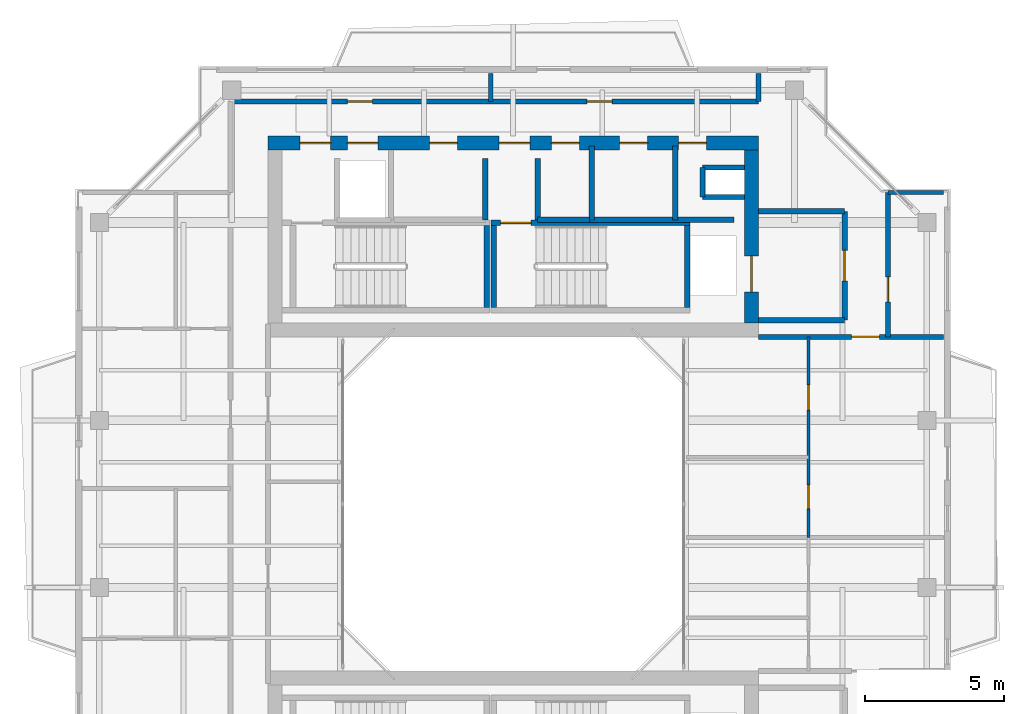
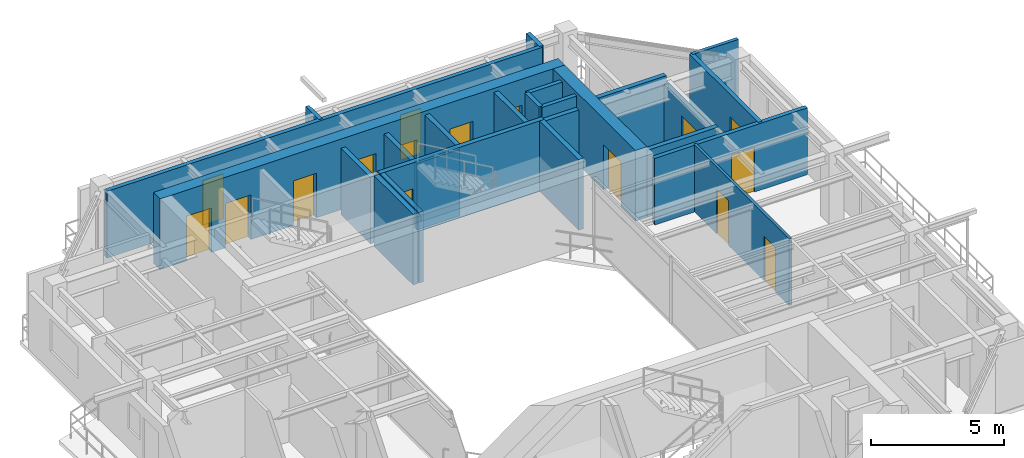
# One storey, part 11 of 14: 25 walls, 16 doors, 16 openings.
"""IFC4 building model written with IfcOpenShell, lengths in metres."""

from ifc_helpers import new_model, si_unit, direction, frame, frame_2d, origin, place, context, subcontext, project, spatial, rectangle, extrude, source, transform, mapped, material, layer, layer_set, type_object, element, fill, save


model = new_model("IFC4")

# Units and contexts
model_context = context("Model", 3, precision=1e-05, world=origin(), true_north=direction((0.0, 1.0)))
body_context = subcontext(model_context, "Body", "Model", "MODEL_VIEW")
ifc_project = project(units=[si_unit("LENGTHUNIT", "METRE"), si_unit("AREAUNIT", "SQUARE_METRE"), si_unit("VOLUMEUNIT", "CUBIC_METRE"), si_unit("PLANEANGLEUNIT", "RADIAN"), si_unit("MASSUNIT", "GRAM", prefix="KILO"), si_unit("THERMODYNAMICTEMPERATUREUNIT", "KELVIN"), si_unit("POWERUNIT", "WATT")], contexts=[model_context])

# Site, building, storey
site_placement = place(None, origin())
site = spatial("IfcSite", under=ifc_project, at=site_placement, CompositionType="ELEMENT")
building_placement = place(site_placement, origin())
building = spatial("IfcBuilding", under=site, at=building_placement, Name="Qiaomeng Ring Towers", CompositionType="ELEMENT")
storey_placement = place(building_placement, frame((0.0, 0.0, 247.0)))
storey = spatial("IfcBuildingStorey", under=building, at=storey_placement, Name="L72", CompositionType="ELEMENT", Elevation=247.0)

# Walls
ifc_material_1 = material(Name="Autoclaved aerated concrete block", Category="concrete")
ifc_layer_1 = layer(ifc_material_1, 0.199951171875, Name="Autoclaved aerated concrete block")
ifc_layer_set_1 = layer_set([ifc_layer_1], Name="Autoclaved aerated concrete block")
wall_type_1 = type_object("IfcWallType", Name="ARC-WL-PW1", PredefinedType="PARTITIONING", material=ifc_layer_set_1)
for number, where, z_axis, x_axis, name in (
    (1, (27.800048828125, 29.60009765625, 0.0), (0.0, 0.0, 1.0), (1.0, 0.0, 0.0), "L72 Interior Wall PW1"),
    (2, (27.800048828125, 33.5, 0.0), (0.0, 0.0, 1.0), (1.0, 0.0, 0.0), "L72 Interior Wall PW1"),
):
    element("IfcWall", number, at=place(storey_placement, frame(where, z_axis=z_axis, x_axis=x_axis)), inside=storey, type_object=wall_type_1, Name=name, PredefinedType="PARTITIONING", context=body_context, shape_type="SweptSolid", body=[
        extrude(rectangle(XDim=3.099853515625, YDim=0.199951171875, at=frame_2d((1.5498046875, 0.0))), origin(), (0.0, 0.0, 1.0), 3.070068359375),
    ])

# Wall, opening, door
wall_1_placement = place(storey_placement, frame((30.89990234375, 29.60009765625, 0.0), z_axis=(0.0, 0.0, 1.0), x_axis=(0.0, 1.0, 0.0)))
wall_1 = element("IfcWall", 3, at=wall_1_placement, inside=storey, type_object=wall_type_1, Name="L72 Interior Wall PW1", PredefinedType="PARTITIONING", context=body_context, shape_type="SweptSolid", body=[
    extrude(rectangle(XDim=3.89990234375, YDim=0.199951171875, at=frame_2d((1.949951171875, 0.0))), origin(), (0.0, 0.0, 1.0), 2.715087890625),
])
opening_1_placement = place(wall_1_placement, frame((1.39990234375, 0.0, 0.0)))
opening_1 = element("IfcOpeningElement", 4, at=opening_1_placement, cuts=wall_1, Name="Opening FD3", PredefinedType="OPENING", context=body_context, shape_type="SweptSolid", body=[
    extrude(rectangle(XDim=1.10009765625, YDim=2.050048828125, at=frame_2d((0.550048828125, 1.02490234375))), frame((0.0, 0.10986328125, 0.0), z_axis=(0.0, -1.0, 0.0), x_axis=(1.0, 0.0, 0.0)), (0.0, 0.0, 1.0), 0.219970703125),
])
ifc_material_2 = material(Name="Galvanised steel", Category="steel")
door_type_1 = type_object("IfcDoorType", Name="ARC-DR-FD3", OperationType="NOTDEFINED", PredefinedType="DOOR", material=ifc_material_2)
shared_shape_1 = source(origin(), body_context, "Body", "SweptSolid", [
    extrude(rectangle(XDim=1.10009765625, YDim=2.050048828125, at=frame_2d((0.550048828125, 1.02490234375))), frame((0.0, 0.02490234375, 0.0), z_axis=(0.0, -1.0, 0.0), x_axis=(1.0, 0.0, 0.0)), (0.0, 0.0, 1.0), 0.050048828125),
])
door_1_placement = place(opening_1_placement, origin())
door_1 = element("IfcDoor", 5, at=door_1_placement, inside=storey, type_object=door_type_1, Name="L72 North FF Lobby Door", OperationType="SINGLE_SWING_LEFT", OverallHeight=2.050048828125, OverallWidth=1.10009765625, PredefinedType="DOOR", context=body_context, shape_type="MappedRepresentation", body=[
    mapped(shared_shape_1, transform((0.0, 0.0, 0.0), x_axis=(1.0, 0.0, 0.0), y_axis=(0.0, 1.0, 0.0), z_axis=(0.0, 0.0, 1.0), scale=1.0)),
])
fill(opening_1, door_1)

# Walls
for number, where, z_axis, x_axis, name in (
    (6, (18.0, 33.18994140625, 0.0), (0.0, 0.0, 1.0), (0.0, 1.0, 0.0), "L72 Interior Wall PW1"),
    (7, (19.8798828125, 33.18994140625, 0.0), (0.0, 0.0, 1.0), (0.0, 1.0, 0.0), "L72 Interior Wall PW1"),
):
    element("IfcWall", number, at=place(storey_placement, frame(where, z_axis=z_axis, x_axis=x_axis)), inside=storey, type_object=wall_type_1, Name=name, PredefinedType="PARTITIONING", context=body_context, shape_type="SweptSolid", body=[
        extrude(rectangle(XDim=2.2099609375, YDim=0.199951171875, at=frame_2d((1.10498046875, 0.0))), origin(), (0.0, 0.0, 1.0), 3.070068359375),
    ])
wall_2_placement = place(storey_placement, frame((24.820068359375, 33.199951171875, 0.0), z_axis=(0.0, 0.0, 1.0), x_axis=(0.0, 1.0, 0.0)))
element("IfcWall", 8, at=wall_2_placement, inside=storey, type_object=wall_type_1, Name="L72 Interior Wall PW1", PredefinedType="PARTITIONING", context=body_context, shape_type="SweptSolid", body=[
    extrude(rectangle(XDim=2.650146484375, YDim=0.199951171875, at=frame_2d((1.3251953125, 0.0))), origin(), (0.0, 0.0, 1.0), 3.070068359375),
])
wall_3_placement = place(storey_placement, frame((19.8798828125, 33.199951171875, 0.0), z_axis=(0.0, 0.0, 1.0), x_axis=(1.0, 0.0, 0.0)))
element("IfcWall", 9, at=wall_3_placement, inside=storey, type_object=wall_type_1, Name="L72 Interior Wall PW1", PredefinedType="PARTITIONING", context=body_context, shape_type="SweptSolid", body=[
    extrude(rectangle(XDim=1.8701171875, YDim=0.199951171875, at=frame_2d((0.93505859375, 0.0))), origin(), (0.0, 0.0, 1.0), 3.070068359375),
])
wall_4_placement = place(storey_placement, frame((21.830078125, 33.199951171875, 0.0), z_axis=(0.0, 0.0, 1.0), x_axis=(0.0, 1.0, 0.0)))
element("IfcWall", 10, at=wall_4_placement, inside=storey, type_object=wall_type_1, Name="L72 Interior Wall PW1", PredefinedType="PARTITIONING", context=body_context, shape_type="SweptSolid", body=[
    extrude(rectangle(XDim=2.650146484375, YDim=0.199951171875, at=frame_2d((1.3251953125, 0.0))), origin(), (0.0, 0.0, 1.0), 3.070068359375),
])
wall_5_placement = place(storey_placement, frame((21.75, 33.199951171875, 0.0), z_axis=(0.0, 0.0, 1.0), x_axis=(1.0, 0.0, 0.0)))
element("IfcWall", 11, at=wall_5_placement, inside=storey, type_object=wall_type_1, Name="L72 Interior Wall PW1", PredefinedType="PARTITIONING", context=body_context, shape_type="SweptSolid", body=[
    extrude(rectangle(XDim=5.169921875, YDim=0.199951171875, at=frame_2d((2.5849609375, 0.0))), origin(), (0.0, 0.0, 1.0), 3.070068359375),
])
ifc_layer_2 = layer(ifc_material_1, 0.179931640625, Name="Autoclaved aerated concrete block")
ifc_layer_set_2 = layer_set([ifc_layer_2], Name="Autoclaved aerated concrete block")
wall_type_2 = type_object("IfcWallType", Name="ARC-WL-PW2", PredefinedType="PARTITIONING", material=ifc_layer_set_2)
wall_6_placement = place(storey_placement, frame((27.800048828125, 37.43994140625, 0.0), z_axis=(0.0, 0.0, 1.0), x_axis=(0.0, 1.0, 0.0)))
element("IfcWall", 12, at=wall_6_placement, inside=storey, type_object=wall_type_2, Name="L72 Interior Wall PW2", PredefinedType="PARTITIONING", context=body_context, shape_type="SweptSolid", body=[
    extrude(rectangle(XDim=1.010009765625, YDim=0.179931640625, at=frame_2d((0.5048828125, 0.0))), origin(), (0.0, 0.0, 1.0), 3.070068359375),
])

# Wall, openings, doors
wall_7_placement = place(storey_placement, frame((8.85009765625, 37.43994140625, 0.0), z_axis=(0.0, 0.0, 1.0), x_axis=(1.0, 0.0, 0.0)))
wall_7 = element("IfcWall", 13, at=wall_7_placement, inside=storey, type_object=wall_type_2, Name="L72 Interior Wall PW2", PredefinedType="PARTITIONING", context=body_context, shape_type="SweptSolid", body=[
    extrude(rectangle(XDim=18.949951171875, YDim=0.179931640625, at=frame_2d((9.47509765625, 0.0))), origin(), (0.0, 0.0, 1.0), 3.070068359375),
])
opening_2_placement = place(wall_7_placement, frame((4.199951171875, 0.0, 0.0)))
opening_2 = element("IfcOpeningElement", 14, at=opening_2_placement, cuts=wall_7, Name="Opening ID1", PredefinedType="OPENING", context=body_context, shape_type="SweptSolid", body=[
    extrude(rectangle(XDim=0.89990234375, YDim=2.050048828125, at=frame_2d((0.449951171875, 1.02490234375))), frame((0.0, 0.099853515625, 0.0), z_axis=(0.0, -1.0, 0.0), x_axis=(1.0, 0.0, 0.0)), (0.0, 0.0, 1.0), 0.199951171875),
])
opening_3_placement = place(wall_7_placement, frame((12.800048828125, 0.0, 0.0)))
opening_3 = element("IfcOpeningElement", 15, at=opening_3_placement, cuts=wall_7, Name="Opening ID1", PredefinedType="OPENING", context=body_context, shape_type="SweptSolid", body=[
    extrude(rectangle(XDim=0.89990234375, YDim=2.050048828125, at=frame_2d((0.449951171875, 1.02490234375))), frame((0.0, 0.099853515625, 0.0), z_axis=(0.0, -1.0, 0.0), x_axis=(1.0, 0.0, 0.0)), (0.0, 0.0, 1.0), 0.199951171875),
])
ifc_material_3 = material(Name="Engineered oak timber", Category="wood")
door_type_2 = type_object("IfcDoorType", Name="ARC-DR-ID1", OperationType="NOTDEFINED", PredefinedType="DOOR", material=ifc_material_3)
shared_shape_2 = source(origin(), body_context, "Body", "SweptSolid", [
    extrude(rectangle(XDim=0.89990234375, YDim=2.050048828125, at=frame_2d((0.449951171875, 1.02490234375))), frame((0.0, 0.02490234375, 0.0), z_axis=(0.0, -1.0, 0.0), x_axis=(1.0, 0.0, 0.0)), (0.0, 0.0, 1.0), 0.050048828125),
])
door_2_placement = place(opening_2_placement, origin())
door_2 = element("IfcDoor", 16, at=door_2_placement, inside=storey, type_object=door_type_2, Name="L72 Door ID1", OperationType="SINGLE_SWING_RIGHT", OverallHeight=2.050048828125, OverallWidth=0.89990234375, PredefinedType="DOOR", context=body_context, shape_type="MappedRepresentation", body=[
    mapped(shared_shape_2, transform((0.0, 0.0, 0.0), x_axis=(1.0, 0.0, 0.0), y_axis=(0.0, 1.0, 0.0), z_axis=(0.0, 0.0, 1.0), scale=1.0)),
])
fill(opening_2, door_2)
door_3_placement = place(opening_3_placement, origin())
door_3 = element("IfcDoor", 17, at=door_3_placement, inside=storey, type_object=door_type_2, Name="L72 Door ID1", OperationType="SINGLE_SWING_LEFT", OverallHeight=2.050048828125, OverallWidth=0.89990234375, PredefinedType="DOOR", context=body_context, shape_type="MappedRepresentation", body=[
    mapped(shared_shape_2, transform((0.0, 0.0, 0.0), x_axis=(1.0, 0.0, 0.0), y_axis=(0.0, 1.0, 0.0), z_axis=(0.0, 0.0, 1.0), scale=1.0)),
])
fill(opening_3, door_3)

# Wall, opening, door
wall_8_placement = place(storey_placement, frame((27.800048828125, 29.0, 0.0), z_axis=(0.0, 0.0, 1.0), x_axis=(1.0, 0.0, 0.0)))
wall_8 = element("IfcWall", 18, at=wall_8_placement, inside=storey, type_object=wall_type_2, Name="L72 Interior Wall PW2", PredefinedType="PARTITIONING", context=body_context, shape_type="SweptSolid", body=[
    extrude(rectangle(XDim=6.64990234375, YDim=0.179931640625, at=frame_2d((3.324951171875, 0.0))), origin(), (0.0, 0.0, 1.0), 3.070068359375),
])
opening_4_placement = place(wall_8_placement, frame((3.35009765625, 0.0, 0.0)))
opening_4 = element("IfcOpeningElement", 19, at=opening_4_placement, cuts=wall_8, Name="Opening FD4", PredefinedType="OPENING", context=body_context, shape_type="SweptSolid", body=[
    extrude(rectangle(XDim=1.0, YDim=2.050048828125, at=frame_2d((0.5, 1.02490234375))), frame((0.0, 0.099853515625, 0.0), z_axis=(0.0, -1.0, 0.0), x_axis=(1.0, 0.0, 0.0)), (0.0, 0.0, 1.0), 0.199951171875),
])
ifc_material_4 = material(Name="Engineered fire-rated oak timber", Category="wood")
door_type_3 = type_object("IfcDoorType", Name="ARC-DR-FD4", OperationType="NOTDEFINED", PredefinedType="DOOR", material=ifc_material_4)
shared_shape_3 = source(origin(), body_context, "Body", "SweptSolid", [
    extrude(rectangle(XDim=1.0, YDim=2.050048828125, at=frame_2d((0.5, 1.02490234375))), frame((0.0, 0.02490234375, 0.0), z_axis=(0.0, -1.0, 0.0), x_axis=(1.0, 0.0, 0.0)), (0.0, 0.0, 1.0), 0.050048828125),
])
door_4_placement = place(opening_4_placement, origin())
door_4 = element("IfcDoor", 20, at=door_4_placement, inside=storey, type_object=door_type_3, Name="L72 Door FD4", OperationType="SINGLE_SWING_LEFT", OverallHeight=2.050048828125, OverallWidth=1.0, PredefinedType="DOOR", context=body_context, shape_type="MappedRepresentation", body=[
    mapped(shared_shape_3, transform((0.0, 0.0, 0.0), x_axis=(1.0, 0.0, 0.0), y_axis=(0.0, 1.0, 0.0), z_axis=(0.0, 0.0, 1.0), scale=1.0)),
])
fill(opening_4, door_4)

wall_9_placement = place(storey_placement, frame((32.449951171875, 29.0, 0.0), z_axis=(0.0, 0.0, 1.0), x_axis=(0.0, 1.0, 0.0)))
wall_9 = element("IfcWall", 21, at=wall_9_placement, inside=storey, type_object=wall_type_2, Name="L72 Interior Wall PW2", PredefinedType="PARTITIONING", context=body_context, shape_type="SweptSolid", body=[
    extrude(rectangle(XDim=5.179931640625, YDim=0.179931640625, at=frame_2d((2.58984375, 0.0))), origin(), (0.0, 0.0, 1.0), 3.070068359375),
])
opening_5_placement = place(wall_9_placement, frame((1.25, 0.0, 0.0)))
opening_5 = element("IfcOpeningElement", 22, at=opening_5_placement, cuts=wall_9, Name="Opening ID1", PredefinedType="OPENING", context=body_context, shape_type="SweptSolid", body=[
    extrude(rectangle(XDim=0.89990234375, YDim=2.050048828125, at=frame_2d((0.449951171875, 1.02490234375))), frame((0.0, 0.099853515625, 0.0), z_axis=(0.0, -1.0, 0.0), x_axis=(1.0, 0.0, 0.0)), (0.0, 0.0, 1.0), 0.199951171875),
])
door_5_placement = place(opening_5_placement, origin())
door_5 = element("IfcDoor", 23, at=door_5_placement, inside=storey, type_object=door_type_2, Name="L72 Door ID1", OperationType="SINGLE_SWING_RIGHT", OverallHeight=2.050048828125, OverallWidth=0.89990234375, PredefinedType="DOOR", context=body_context, shape_type="MappedRepresentation", body=[
    mapped(shared_shape_2, transform((0.0, 0.0, 0.0), x_axis=(1.0, 0.0, 0.0), y_axis=(0.0, 1.0, 0.0), z_axis=(0.0, 0.0, 1.0), scale=1.0)),
])
fill(opening_5, door_5)

# Walls
ifc_material_5 = material(Name="Gypsum fireboard steel-stud partition", Category="steel")
ifc_layer_3 = layer(ifc_material_5, 0.14990234375, Name="Gypsum fireboard steel-stud partition")
ifc_layer_set_3 = layer_set([ifc_layer_3], Name="Gypsum fireboard steel-stud partition")
wall_type_3 = type_object("IfcWallType", Name="ARC-WL-PW3", PredefinedType="PARTITIONING", material=ifc_layer_set_3)
wall_10_placement = place(storey_placement, frame((18.199951171875, 37.43994140625, 0.0), z_axis=(0.0, 0.0, 1.0), x_axis=(0.0, 1.0, 0.0)))
element("IfcWall", 24, at=wall_10_placement, inside=storey, type_object=wall_type_3, Name="L72 Interior Wall PW3", PredefinedType="PARTITIONING", context=body_context, shape_type="SweptSolid", body=[
    extrude(rectangle(XDim=1.010009765625, YDim=0.14990234375, at=frame_2d((0.5048828125, 0.0))), origin(), (0.0, 0.0, 1.0), 3.070068359375),
])
wall_11_placement = place(storey_placement, frame((32.449951171875, 34.179931640625, 0.0), z_axis=(0.0, 0.0, 1.0), x_axis=(1.0, 0.0, 0.0)))
element("IfcWall", 25, at=wall_11_placement, inside=storey, type_object=wall_type_3, Name="L72 Interior Wall PW3", PredefinedType="PARTITIONING", context=body_context, shape_type="SweptSolid", body=[
    extrude(rectangle(XDim=2.0, YDim=0.14990234375, at=frame_2d((1.0, 0.0))), origin(), (0.0, 0.0, 1.0), 3.070068359375),
])

# Wall, openings, doors
ifc_material_6 = material(Name="Moisture-resistant gypsum steel-stud partition", Category="steel")
ifc_layer_4 = layer(ifc_material_6, 0.1201171875, Name="Moisture-resistant gypsum steel-stud partition")
ifc_layer_set_4 = layer_set([ifc_layer_4], Name="Moisture-resistant gypsum steel-stud partition")
wall_type_4 = type_object("IfcWallType", Name="ARC-WL-PW4", PredefinedType="PLUMBINGWALL", material=ifc_layer_set_4)
wall_12_placement = place(storey_placement, frame((29.60009765625, 21.800048828125, 0.0), z_axis=(0.0, 0.0, 1.0), x_axis=(0.0, 1.0, 0.0)))
wall_12 = element("IfcWall", 26, at=wall_12_placement, inside=storey, type_object=wall_type_4, Name="L72 Interior Wall PW4", PredefinedType="PLUMBINGWALL", context=body_context, shape_type="SweptSolid", body=[
    extrude(rectangle(XDim=7.199951171875, YDim=0.1201171875, at=frame_2d((3.60009765625, 0.0))), origin(), (0.0, 0.0, 1.0), 3.070068359375),
])
opening_6_placement = place(wall_12_placement, frame((1.034912109375, 0.0, 0.0)))
opening_6 = element("IfcOpeningElement", 27, at=opening_6_placement, cuts=wall_12, Name="Opening ID2", PredefinedType="OPENING", context=body_context, shape_type="SweptSolid", body=[
    extrude(rectangle(XDim=0.85009765625, YDim=2.050048828125, at=frame_2d((0.425048828125, 1.02490234375))), frame((0.0, 0.070068359375, 0.0), z_axis=(0.0, -1.0, 0.0), x_axis=(1.0, 0.0, 0.0)), (0.0, 0.0, 1.0), 0.14013671875),
])
opening_7_placement = place(wall_12_placement, frame((4.570068359375, 0.0, 0.0)))
opening_7 = element("IfcOpeningElement", 28, at=opening_7_placement, cuts=wall_12, Name="Opening ID1", PredefinedType="OPENING", context=body_context, shape_type="SweptSolid", body=[
    extrude(rectangle(XDim=0.89990234375, YDim=2.050048828125, at=frame_2d((0.449951171875, 1.02490234375))), frame((0.0, 0.070068359375, 0.0), z_axis=(0.0, -1.0, 0.0), x_axis=(1.0, 0.0, 0.0)), (0.0, 0.0, 1.0), 0.14013671875),
])
ifc_material_7 = material(Name="Moisture-resistant engineered timber", Category="wood")
door_type_4 = type_object("IfcDoorType", Name="ARC-DR-ID2", OperationType="NOTDEFINED", PredefinedType="DOOR", material=ifc_material_7)
shared_shape_4 = source(origin(), body_context, "Body", "SweptSolid", [
    extrude(rectangle(XDim=0.85009765625, YDim=2.050048828125, at=frame_2d((0.425048828125, 1.02490234375))), frame((0.0, 0.02490234375, 0.0), z_axis=(0.0, -1.0, 0.0), x_axis=(1.0, 0.0, 0.0)), (0.0, 0.0, 1.0), 0.050048828125),
])
door_6_placement = place(opening_6_placement, origin())
door_6 = element("IfcDoor", 29, at=door_6_placement, inside=storey, type_object=door_type_4, Name="L72 Door ID2", OperationType="SINGLE_SWING_RIGHT", OverallHeight=2.050048828125, OverallWidth=0.85009765625, PredefinedType="DOOR", context=body_context, shape_type="MappedRepresentation", body=[
    mapped(shared_shape_4, transform((0.0, 0.0, 0.0), x_axis=(1.0, 0.0, 0.0), y_axis=(0.0, 1.0, 0.0), z_axis=(0.0, 0.0, 1.0), scale=1.0)),
])
fill(opening_6, door_6)
door_7_placement = place(opening_7_placement, origin())
door_7 = element("IfcDoor", 30, at=door_7_placement, inside=storey, type_object=door_type_2, Name="L72 Door ID1", OperationType="SINGLE_SWING_LEFT", OverallHeight=2.050048828125, OverallWidth=0.89990234375, PredefinedType="DOOR", context=body_context, shape_type="MappedRepresentation", body=[
    mapped(shared_shape_2, transform((0.0, 0.0, 0.0), x_axis=(1.0, 0.0, 0.0), y_axis=(0.0, 1.0, 0.0), z_axis=(0.0, 0.0, 1.0), scale=1.0)),
])
fill(opening_7, door_7)

# Walls
ifc_material_8 = material(Name="Concrete C40", Category="concrete")
ifc_layer_5 = layer(ifc_material_8, 0.199951171875, Name="Concrete C40")
ifc_layer_set_5 = layer_set([ifc_layer_5], Name="Concrete C40")
wall_type_5 = type_object("IfcWallType", Name="STR-WL-STSHAFT", PredefinedType="SHEAR", material=ifc_layer_set_5)
wall_13_placement = place(storey_placement, frame((25.800048828125, 34.02001953125, 0.0), z_axis=(0.0, 0.0, 1.0), x_axis=(0.0, 1.0, 0.0)))
element("IfcWall", 31, at=wall_13_placement, inside=storey, type_object=wall_type_5, Name="L72 Riser RSR1 West Shaft Wall N", PredefinedType="SHEAR", context=body_context, shape_type="SweptSolid", body=[
    extrude(rectangle(XDim=1.06005859375, YDim=0.179931640625, at=frame_2d((0.530029296875, 0.0))), origin(), (0.0, 0.0, 1.0), 3.070068359375),
])
for number, where, z_axis, x_axis, name in (
    (32, (25.800048828125, 35.080078125, 0.0), (0.0, 0.0, 1.0), (1.0, 0.0, 0.0), "L72 Riser RSR1 North Shaft Wall N"),
    (33, (25.800048828125, 34.02001953125, 0.0), (0.0, 0.0, 1.0), (1.0, 0.0, 0.0), "L72 Riser RSR1 South Shaft Wall N"),
):
    element("IfcWall", number, at=place(storey_placement, frame(where, z_axis=z_axis, x_axis=x_axis)), inside=storey, type_object=wall_type_5, Name=name, PredefinedType="SHEAR", context=body_context, shape_type="SweptSolid", body=[
        extrude(rectangle(XDim=1.5, YDim=0.179931640625, at=frame_2d((0.75, 0.0))), origin(), (0.0, 0.0, 1.0), 3.070068359375),
    ])
wall_14_placement = place(storey_placement, frame((18.050048828125, 30.050048828125, 0.0), z_axis=(0.0, 0.0, 1.0), x_axis=(0.0, 1.0, 0.0)))
element("IfcWall", 34, at=wall_14_placement, inside=storey, type_object=wall_type_5, Name="L72 Stair ST1 East Shaft Shear Wall", PredefinedType="SHEAR", context=body_context, shape_type="SweptSolid", body=[
    extrude(rectangle(XDim=2.93994140625, YDim=0.199951171875, at=frame_2d((1.469970703125, 0.0))), origin(), (0.0, 0.0, 1.0), 3.25),
])

# Wall, opening, door
wall_15_placement = place(storey_placement, frame((18.199951171875, 33.090087890625, 0.0), z_axis=(0.0, 0.0, 1.0), x_axis=(1.0, 0.0, 0.0)))
wall_15 = element("IfcWall", 35, at=wall_15_placement, inside=storey, type_object=wall_type_5, Name="L72 Stair ST2 North Shaft Shear Wall", PredefinedType="SHEAR", context=body_context, shape_type="SweptSolid", body=[
    extrude(rectangle(XDim=7.150146484375, YDim=0.199951171875, at=frame_2d((3.5751953125, 0.0))), origin(), (0.0, 0.0, 1.0), 3.25),
])
opening_8_placement = place(wall_15_placement, frame((0.35009765625, 0.0, 0.0)))
opening_8 = element("IfcOpeningElement", 36, at=opening_8_placement, cuts=wall_15, Name="Opening FD3", PredefinedType="OPENING", context=body_context, shape_type="SweptSolid", body=[
    extrude(rectangle(XDim=1.10009765625, YDim=2.050048828125, at=frame_2d((0.550048828125, 1.02490234375))), frame((0.0, 0.10986328125, 0.0), z_axis=(0.0, -1.0, 0.0), x_axis=(1.0, 0.0, 0.0)), (0.0, 0.0, 1.0), 0.219970703125),
])
door_8_placement = place(opening_8_placement, origin())
door_8 = element("IfcDoor", 37, at=door_8_placement, inside=storey, type_object=door_type_1, Name="L72 Stair ST2 Exit Door", OperationType="SINGLE_SWING_RIGHT", OverallHeight=2.050048828125, OverallWidth=1.10009765625, PredefinedType="DOOR", context=body_context, shape_type="MappedRepresentation", body=[
    mapped(shared_shape_1, transform((0.0, 0.0, 0.0), x_axis=(1.0, 0.0, 0.0), y_axis=(0.0, 1.0, 0.0), z_axis=(0.0, 0.0, 1.0), scale=1.0)),
])
fill(opening_8, door_8)

# Walls
for number, where, z_axis, x_axis, name in (
    (38, (18.300048828125, 30.050048828125, 0.0), (0.0, 0.0, 1.0), (0.0, 1.0, 0.0), "L72 Stair ST2 West Shaft Shear Wall"),
    (39, (25.25, 30.050048828125, 0.0), (0.0, 0.0, 1.0), (0.0, 1.0, 0.0), "L72 Stair ST2 East Shaft Shear Wall"),
):
    element("IfcWall", number, at=place(storey_placement, frame(where, z_axis=z_axis, x_axis=x_axis)), inside=storey, type_object=wall_type_5, Name=name, PredefinedType="SHEAR", context=body_context, shape_type="SweptSolid", body=[
        extrude(rectangle(XDim=2.93994140625, YDim=0.199951171875, at=frame_2d((1.469970703125, 0.0))), origin(), (0.0, 0.0, 1.0), 3.25),
    ])

# Wall, openings, doors
ifc_layer_6 = layer(ifc_material_8, 0.5, Name="Concrete C40")
ifc_layer_set_6 = layer_set([ifc_layer_6], Name="Concrete C40")
wall_type_6 = type_object("IfcWallType", Name="STR-WL-SW3", PredefinedType="SHEAR", material=ifc_layer_set_6)
wall_16_placement = place(storey_placement, frame((10.199951171875, 35.949951171875, 0.0), z_axis=(0.0, 0.0, 1.0), x_axis=(1.0, 0.0, 0.0)))
wall_16 = element("IfcWall", 40, at=wall_16_placement, inside=storey, type_object=wall_type_6, Name="L72 T1NC north core shear wall", PredefinedType="SHEAR", context=body_context, shape_type="SweptSolid", body=[
    extrude(rectangle(XDim=17.60009765625, YDim=0.5, at=frame_2d((8.800048828125, 0.0))), origin(), (0.0, 0.0, 1.0), 3.25),
])
opening_9_placement = place(wall_16_placement, frame((1.14990234375, 0.0, 0.0)))
opening_9 = element("IfcOpeningElement", 41, at=opening_9_placement, cuts=wall_16, Name="Opening FD3", PredefinedType="OPENING", context=body_context, shape_type="SweptSolid", body=[
    extrude(rectangle(XDim=1.10009765625, YDim=2.050048828125, at=frame_2d((0.550048828125, 1.02490234375))), frame((0.0, 0.260009765625, 0.0), z_axis=(0.0, -1.0, 0.0), x_axis=(1.0, 0.0, 0.0)), (0.0, 0.0, 1.0), 0.52001953125),
])
opening_10_placement = place(wall_16_placement, frame((8.300048828125, 0.0, 0.0)))
opening_10 = element("IfcOpeningElement", 42, at=opening_10_placement, cuts=wall_16, Name="Opening FD3", PredefinedType="OPENING", context=body_context, shape_type="SweptSolid", body=[
    extrude(rectangle(XDim=1.10009765625, YDim=2.050048828125, at=frame_2d((0.550048828125, 1.02490234375))), frame((0.0, 0.260009765625, 0.0), z_axis=(0.0, -1.0, 0.0), x_axis=(1.0, 0.0, 0.0)), (0.0, 0.0, 1.0), 0.52001953125),
])
opening_11_placement = place(wall_16_placement, frame((2.85009765625, 0.0, 0.0)))
opening_11 = element("IfcOpeningElement", 43, at=opening_11_placement, cuts=wall_16, Name="Opening LD1", PredefinedType="OPENING", context=body_context, shape_type="SweptSolid", body=[
    extrude(rectangle(XDim=1.10009765625, YDim=2.050048828125, at=frame_2d((0.550048828125, 1.02490234375))), frame((0.0, 0.260009765625, 0.0), z_axis=(0.0, -1.0, 0.0), x_axis=(1.0, 0.0, 0.0)), (0.0, 0.0, 1.0), 0.52001953125),
])
opening_12_placement = place(wall_16_placement, frame((5.800048828125, 0.0, 0.0)))
opening_12 = element("IfcOpeningElement", 44, at=opening_12_placement, cuts=wall_16, Name="Opening FD1", PredefinedType="OPENING", context=body_context, shape_type="SweptSolid", body=[
    extrude(rectangle(XDim=1.0, YDim=2.050048828125, at=frame_2d((0.5, 1.02490234375))), frame((0.0, 0.260009765625, 0.0), z_axis=(0.0, -1.0, 0.0), x_axis=(1.0, 0.0, 0.0)), (0.0, 0.0, 1.0), 0.52001953125),
])
opening_13_placement = place(wall_16_placement, frame((14.739990234375, 0.0, 0.0)))
opening_13 = element("IfcOpeningElement", 45, at=opening_13_placement, cuts=wall_16, Name="Opening FD1", PredefinedType="OPENING", context=body_context, shape_type="SweptSolid", body=[
    extrude(rectangle(XDim=1.0, YDim=2.050048828125, at=frame_2d((0.5, 1.02490234375))), frame((0.0, 0.260009765625, 0.0), z_axis=(0.0, -1.0, 0.0), x_axis=(1.0, 0.0, 0.0)), (0.0, 0.0, 1.0), 0.52001953125),
])
opening_14_placement = place(wall_16_placement, frame((10.175048828125, 0.0, 0.0)))
opening_14 = element("IfcOpeningElement", 46, at=opening_14_placement, cuts=wall_16, Name="Opening FD1", PredefinedType="OPENING", context=body_context, shape_type="SweptSolid", body=[
    extrude(rectangle(XDim=1.0, YDim=2.050048828125, at=frame_2d((0.5, 1.02490234375))), frame((0.0, 0.260009765625, 0.0), z_axis=(0.0, -1.0, 0.0), x_axis=(1.0, 0.0, 0.0)), (0.0, 0.0, 1.0), 0.52001953125),
])
opening_15_placement = place(wall_16_placement, frame((12.625, 0.0, 0.0)))
opening_15 = element("IfcOpeningElement", 47, at=opening_15_placement, cuts=wall_16, Name="Opening FD1", PredefinedType="OPENING", context=body_context, shape_type="SweptSolid", body=[
    extrude(rectangle(XDim=1.0, YDim=2.050048828125, at=frame_2d((0.5, 1.02490234375))), frame((0.0, 0.260009765625, 0.0), z_axis=(0.0, -1.0, 0.0), x_axis=(1.0, 0.0, 0.0)), (0.0, 0.0, 1.0), 0.52001953125),
])
door_9_placement = place(opening_9_placement, origin())
door_9 = element("IfcDoor", 48, at=door_9_placement, inside=storey, type_object=door_type_1, Name="L72 Stair ST1 Lobby Door", OperationType="SINGLE_SWING_LEFT", OverallHeight=2.050048828125, OverallWidth=1.10009765625, PredefinedType="DOOR", context=body_context, shape_type="MappedRepresentation", body=[
    mapped(shared_shape_1, transform((0.0, 0.0, 0.0), x_axis=(1.0, 0.0, 0.0), y_axis=(0.0, 1.0, 0.0), z_axis=(0.0, 0.0, 1.0), scale=1.0)),
])
fill(opening_9, door_9)
door_10_placement = place(opening_10_placement, origin())
door_10 = element("IfcDoor", 49, at=door_10_placement, inside=storey, type_object=door_type_1, Name="L72 Stair ST2 Lobby Door", OperationType="SINGLE_SWING_LEFT", OverallHeight=2.050048828125, OverallWidth=1.10009765625, PredefinedType="DOOR", context=body_context, shape_type="MappedRepresentation", body=[
    mapped(shared_shape_1, transform((0.0, 0.0, 0.0), x_axis=(1.0, 0.0, 0.0), y_axis=(0.0, 1.0, 0.0), z_axis=(0.0, 0.0, 1.0), scale=1.0)),
])
fill(opening_10, door_10)
ifc_material_9 = material(Name="Stainless steel 316", Category="steel")
door_type_5 = type_object("IfcDoorType", Name="ARC-DR-LD1", OperationType="NOTDEFINED", PredefinedType="DOOR", material=ifc_material_9)
door_11_placement = place(opening_11_placement, origin())
door_11 = element("IfcDoor", 50, at=door_11_placement, inside=storey, type_object=door_type_5, Name="L72 High-Zone Lift LP5 Landing Door", OperationType="SLIDING_TO_LEFT", OverallHeight=2.050048828125, OverallWidth=1.10009765625, PredefinedType="DOOR", context=body_context, shape_type="MappedRepresentation", body=[
    mapped(shared_shape_1, transform((0.0, 0.0, 0.0), x_axis=(1.0, 0.0, 0.0), y_axis=(0.0, 1.0, 0.0), z_axis=(0.0, 0.0, 1.0), scale=1.0)),
])
fill(opening_11, door_11)
door_type_6 = type_object("IfcDoorType", Name="ARC-DR-FD1", OperationType="NOTDEFINED", PredefinedType="DOOR", material=ifc_material_2)
door_12_placement = place(opening_12_placement, origin())
door_12 = element("IfcDoor", 51, at=door_12_placement, inside=storey, type_object=door_type_6, Name="L72 High-Zone Facilities Office Door", OperationType="SINGLE_SWING_LEFT", OverallHeight=2.050048828125, OverallWidth=1.0, PredefinedType="DOOR", context=body_context, shape_type="MappedRepresentation", body=[
    mapped(shared_shape_3, transform((0.0, 0.0, 0.0), x_axis=(1.0, 0.0, 0.0), y_axis=(0.0, 1.0, 0.0), z_axis=(0.0, 0.0, 1.0), scale=1.0)),
])
fill(opening_12, door_12)
door_13_placement = place(opening_13_placement, origin())
door_13 = element("IfcDoor", 52, at=door_13_placement, inside=storey, type_object=door_type_6, Name="L72 North Electrical Riser Door", OperationType="SINGLE_SWING_LEFT", OverallHeight=2.050048828125, OverallWidth=1.0, PredefinedType="DOOR", context=body_context, shape_type="MappedRepresentation", body=[
    mapped(shared_shape_3, transform((0.0, 0.0, 0.0), x_axis=(1.0, 0.0, 0.0), y_axis=(0.0, 1.0, 0.0), z_axis=(0.0, 0.0, 1.0), scale=1.0)),
])
fill(opening_13, door_13)
door_14_placement = place(opening_14_placement, origin())
door_14 = element("IfcDoor", 53, at=door_14_placement, inside=storey, type_object=door_type_6, Name="L72 North Cleaners Store Door", OperationType="SINGLE_SWING_LEFT", OverallHeight=2.050048828125, OverallWidth=1.0, PredefinedType="DOOR", context=body_context, shape_type="MappedRepresentation", body=[
    mapped(shared_shape_3, transform((0.0, 0.0, 0.0), x_axis=(1.0, 0.0, 0.0), y_axis=(0.0, 1.0, 0.0), z_axis=(0.0, 0.0, 1.0), scale=1.0)),
])
fill(opening_14, door_14)
door_15_placement = place(opening_15_placement, origin())
door_15 = element("IfcDoor", 54, at=door_15_placement, inside=storey, type_object=door_type_6, Name="L72 North Telemetry Office Door", OperationType="SINGLE_SWING_RIGHT", OverallHeight=2.050048828125, OverallWidth=1.0, PredefinedType="DOOR", context=body_context, shape_type="MappedRepresentation", body=[
    mapped(shared_shape_3, transform((0.0, 0.0, 0.0), x_axis=(1.0, 0.0, 0.0), y_axis=(0.0, 1.0, 0.0), z_axis=(0.0, 0.0, 1.0), scale=1.0)),
])
fill(opening_15, door_15)

# Wall, opening, door
wall_17_placement = place(storey_placement, frame((27.550048828125, 29.5, 0.0), z_axis=(0.0, 0.0, 1.0), x_axis=(0.0, 1.0, 0.0)))
wall_17 = element("IfcWall", 55, at=wall_17_placement, inside=storey, type_object=wall_type_6, Name="L72 T1NC east core shear wall", PredefinedType="SHEAR", context=body_context, shape_type="SweptSolid", body=[
    extrude(rectangle(XDim=6.199951171875, YDim=0.5, at=frame_2d((3.10009765625, 0.0))), origin(), (0.0, 0.0, 1.0), 3.25),
])
opening_16_placement = place(wall_17_placement, frame((1.10009765625, 0.0, 0.0)))
opening_16 = element("IfcOpeningElement", 56, at=opening_16_placement, cuts=wall_17, Name="Opening LD2", PredefinedType="OPENING", context=body_context, shape_type="SweptSolid", body=[
    extrude(rectangle(XDim=1.300048828125, YDim=2.050048828125, at=frame_2d((0.64990234375, 1.02490234375))), frame((0.0, 0.260009765625, 0.0), z_axis=(0.0, -1.0, 0.0), x_axis=(1.0, 0.0, 0.0)), (0.0, 0.0, 1.0), 0.52001953125),
])
door_type_7 = type_object("IfcDoorType", Name="ARC-DR-LD2", OperationType="NOTDEFINED", PredefinedType="DOOR", material=ifc_material_9)
shared_shape_5 = source(origin(), body_context, "Body", "SweptSolid", [
    extrude(rectangle(XDim=1.300048828125, YDim=2.050048828125, at=frame_2d((0.64990234375, 1.02490234375))), frame((0.0, 0.02490234375, 0.0), z_axis=(0.0, -1.0, 0.0), x_axis=(1.0, 0.0, 0.0)), (0.0, 0.0, 1.0), 0.050048828125),
])
door_16_placement = place(opening_16_placement, origin())
door_16 = element("IfcDoor", 57, at=door_16_placement, inside=storey, type_object=door_type_7, Name="L72 Firefighting Lift FL1 Landing Door", OperationType="SLIDING_TO_LEFT", OverallHeight=2.050048828125, OverallWidth=1.300048828125, PredefinedType="DOOR", context=body_context, shape_type="MappedRepresentation", body=[
    mapped(shared_shape_5, transform((0.0, 0.0, 0.0), x_axis=(1.0, 0.0, 0.0), y_axis=(0.0, 1.0, 0.0), z_axis=(0.0, 0.0, 1.0), scale=1.0)),
])
fill(opening_16, door_16)

save(model, "model.ifc")
